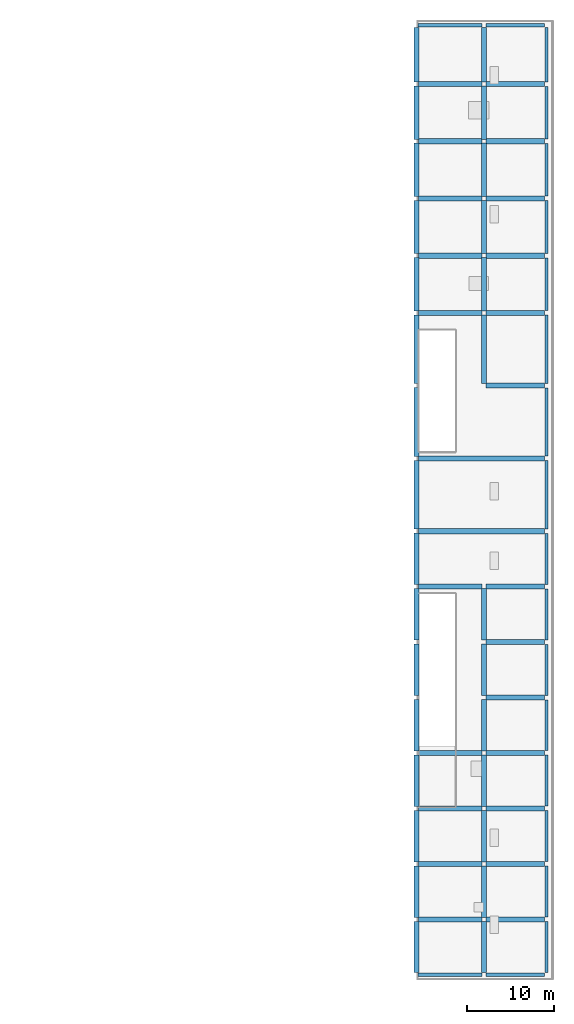
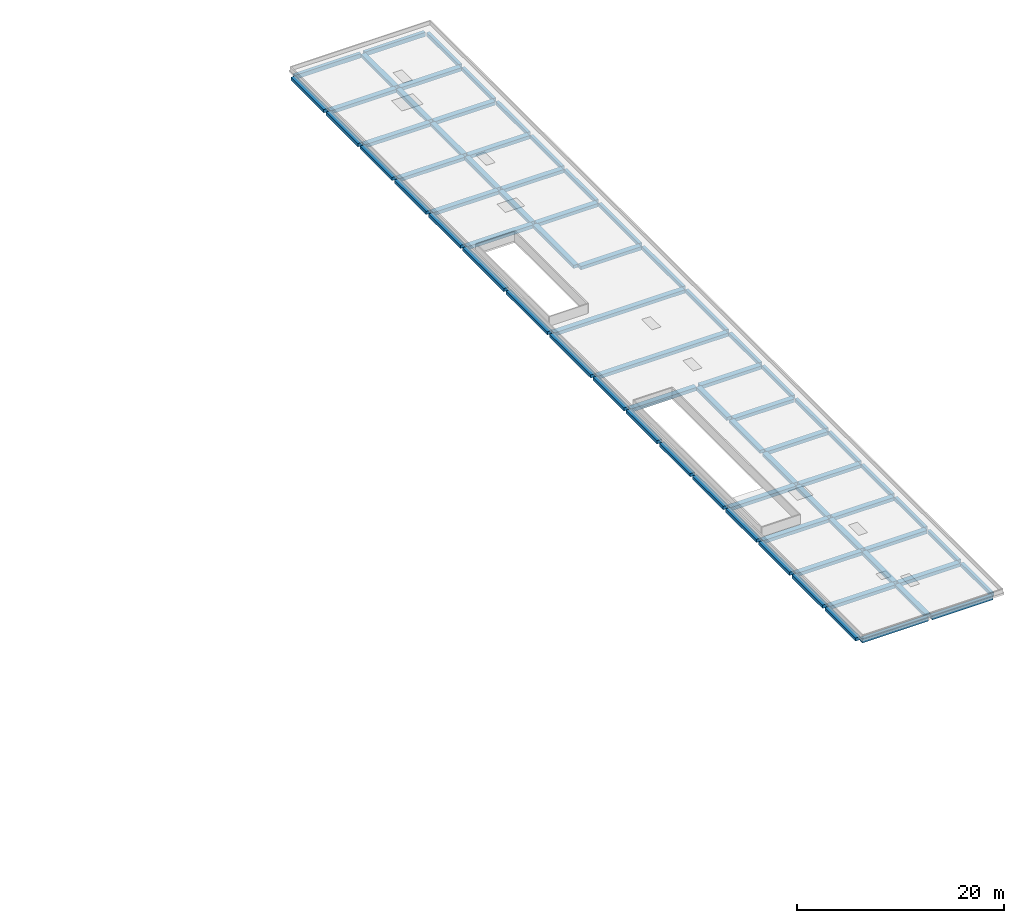
# One storey, part 6 of 24: 74 beams.
"""IFC4 building model written with IfcOpenShell, lengths in metres."""

from ifc_helpers import new_model, si_unit, derived_unit, direction, frame, origin, origin_2d, place, context, subcontext, project, spatial, rectangle, extrude, material, material_profile, profile_set, type_object, element, save


model = new_model("IFC4")

# Units and contexts
model_context = context("Model", 3, precision=1e-05, world=origin(), true_north=direction((0.0, 1.0)))
body_context = subcontext(model_context, "Body", "Model", "MODEL_VIEW")
ifc_project = project(units=[si_unit("LENGTHUNIT", "METRE"), si_unit("AREAUNIT", "SQUARE_METRE"), si_unit("VOLUMEUNIT", "CUBIC_METRE"), si_unit("PLANEANGLEUNIT", "RADIAN"), si_unit("MASSUNIT", "GRAM", prefix="KILO"), derived_unit("THERMALTRANSMITTANCEUNIT", [(si_unit("POWERUNIT", "WATT"), 1), (si_unit("LENGTHUNIT", "METRE"), -2), (si_unit("THERMODYNAMICTEMPERATUREUNIT", "KELVIN"), -1)])], contexts=[model_context])

# Site, building, storey
site_placement = place(None, origin())
site = spatial("IfcSite", under=ifc_project, at=site_placement, CompositionType="ELEMENT")
building_placement = place(site_placement, origin())
building = spatial("IfcBuilding", under=site, at=building_placement, Name="Braskholm Square Health Centre", CompositionType="ELEMENT")
storey_placement = place(building_placement, frame((0.0, 0.0, 21.60009765625)))
storey = spatial("IfcBuildingStorey", under=building, at=storey_placement, Name="L06", CompositionType="ELEMENT", Elevation=21.60009765625)

# Beams
ifc_material_1 = material(Name="Concrete C35/45 (f'c = 35 MPa)", Category="concrete")
ifc_material_profile_1 = material_profile(ifc_material_1, rectangle(XDim=0.550048828125, YDim=0.3798828125, at=origin_2d()), Name="RCB-550X380")
ifc_profile_set_1 = profile_set([ifc_material_profile_1], Name="Concrete C35/45 (f'c = 35 MPa)")
beam_type_1 = type_object("IfcBeamType", Name="PrimaryBandBeam550x380", PredefinedType="BEAM", material=ifc_profile_set_1)
beam_1_placement = place(storey_placement, frame((148.800048828125, 4.4599609375, -0.400146484375), z_axis=(0.0, 1.0, 0.0), x_axis=(-1.0, 0.0, 0.0)))
element("IfcBeam", 1, at=beam_1_placement, inside=storey, type_object=beam_type_1, Name="Beam 20/A-B L06", PredefinedType="BEAM", context=body_context, shape_type="SweptSolid", body=[
    extrude(rectangle(XDim=0.550048828125, YDim=0.3798828125, at=origin_2d()), origin(), (0.0, 0.0, 1.0), 5.9150390625),
])
for number, where, z_axis, x_axis, name in (
    (2, (148.800048828125, 10.824951171875, -0.400146484375), (0.0, 1.0, 0.0), (-1.0, 0.0, 0.0), "Beam 20/B-C L06"),
    (3, (148.800048828125, 17.22509765625, -0.400146484375), (0.0, 1.0, 0.0), (-1.0, 0.0, 0.0), "Beam 20/C-D L06"),
    (4, (148.800048828125, 23.625, -0.400146484375), (0.0, 1.0, 0.0), (-1.0, 0.0, 0.0), "Beam 20/D-E L06"),
):
    element("IfcBeam", number, at=place(storey_placement, frame(where, z_axis=z_axis, x_axis=x_axis)), inside=storey, type_object=beam_type_1, Name=name, PredefinedType="BEAM", context=body_context, shape_type="SweptSolid", body=[
        extrude(rectangle(XDim=0.550048828125, YDim=0.3798828125, at=origin_2d()), origin(), (0.0, 0.0, 1.0), 5.949951171875),
    ])
beam_2_placement = place(storey_placement, frame((148.800048828125, 30.02490234375, -0.400146484375), z_axis=(0.0, 1.0, 0.0), x_axis=(-1.0, 0.0, 0.0)))
element("IfcBeam", 5, at=beam_2_placement, inside=storey, type_object=beam_type_1, Name="Beam 20/E-F L06", PredefinedType="BEAM", context=body_context, shape_type="SweptSolid", body=[
    extrude(rectangle(XDim=0.550048828125, YDim=0.3798828125, at=origin_2d()), origin(), (0.0, 0.0, 1.0), 5.9501953125),
])
for number, where, z_axis, x_axis, name in (
    (6, (148.800048828125, 36.425048828125, -0.400146484375), (0.0, 1.0, 0.0), (-1.0, 0.0, 0.0), "Beam 20/F-G L06"),
    (7, (148.800048828125, 42.824951171875, -0.400146484375), (0.0, 1.0, 0.0), (-1.0, 0.0, 0.0), "Beam 20/G-H L06"),
    (8, (148.800048828125, 49.22509765625, -0.400146484375), (0.0, 1.0, 0.0), (-1.0, 0.0, 0.0), "Beam 20/H-J L06"),
):
    element("IfcBeam", number, at=place(storey_placement, frame(where, z_axis=z_axis, x_axis=x_axis)), inside=storey, type_object=beam_type_1, Name=name, PredefinedType="BEAM", context=body_context, shape_type="SweptSolid", body=[
        extrude(rectangle(XDim=0.550048828125, YDim=0.3798828125, at=origin_2d()), origin(), (0.0, 0.0, 1.0), 5.949951171875),
    ])
beam_3_placement = place(storey_placement, frame((148.800048828125, 55.625, -0.400146484375), z_axis=(0.0, 1.0, 0.0), x_axis=(-1.0, 0.0, 0.0)))
element("IfcBeam", 9, at=beam_3_placement, inside=storey, type_object=beam_type_1, Name="Beam 20/J-K L06", PredefinedType="BEAM", context=body_context, shape_type="SweptSolid", body=[
    extrude(rectangle(XDim=0.550048828125, YDim=0.3798828125, at=origin_2d()), origin(), (0.0, 0.0, 1.0), 7.949951171875),
])
beam_4_placement = place(storey_placement, frame((148.800048828125, 64.02490234375, -0.400146484375), z_axis=(0.0, 1.0, 0.0), x_axis=(-1.0, 0.0, 0.0)))
element("IfcBeam", 10, at=beam_4_placement, inside=storey, type_object=beam_type_1, Name="Beam 20/K-L L06", PredefinedType="BEAM", context=body_context, shape_type="SweptSolid", body=[
    extrude(rectangle(XDim=0.550048828125, YDim=0.3798828125, at=origin_2d()), origin(), (0.0, 0.0, 1.0), 7.9501953125),
])
beam_5_placement = place(storey_placement, frame((148.800048828125, 72.425048828125, -0.400146484375), z_axis=(0.0, 1.0, 0.0), x_axis=(-1.0, 0.0, 0.0)))
element("IfcBeam", 11, at=beam_5_placement, inside=storey, type_object=beam_type_1, Name="Beam 20/L-M L06", PredefinedType="BEAM", context=body_context, shape_type="SweptSolid", body=[
    extrude(rectangle(XDim=0.550048828125, YDim=0.3798828125, at=origin_2d()), origin(), (0.0, 0.0, 1.0), 7.949951171875),
])
beam_6_placement = place(storey_placement, frame((148.800048828125, 80.824951171875, -0.400146484375), z_axis=(0.0, 1.0, 0.0), x_axis=(-1.0, 0.0, 0.0)))
element("IfcBeam", 12, at=beam_6_placement, inside=storey, type_object=beam_type_1, Name="Beam 20/M-N L06", PredefinedType="BEAM", context=body_context, shape_type="SweptSolid", body=[
    extrude(rectangle(XDim=0.550048828125, YDim=0.3798828125, at=origin_2d()), origin(), (0.0, 0.0, 1.0), 6.150146484375),
])
beam_7_placement = place(storey_placement, frame((148.800048828125, 87.425048828125, -0.400146484375), z_axis=(0.0, 1.0, 0.0), x_axis=(-1.0, 0.0, 0.0)))
element("IfcBeam", 13, at=beam_7_placement, inside=storey, type_object=beam_type_1, Name="Beam 20/N-P L06", PredefinedType="BEAM", context=body_context, shape_type="SweptSolid", body=[
    extrude(rectangle(XDim=0.550048828125, YDim=0.3798828125, at=origin_2d()), origin(), (0.0, 0.0, 1.0), 6.14990234375),
])
beam_8_placement = place(storey_placement, frame((148.800048828125, 94.02490234375, -0.400146484375), z_axis=(0.0, 1.0, 0.0), x_axis=(-1.0, 0.0, 0.0)))
element("IfcBeam", 14, at=beam_8_placement, inside=storey, type_object=beam_type_1, Name="Beam 20/P-Q L06", PredefinedType="BEAM", context=body_context, shape_type="SweptSolid", body=[
    extrude(rectangle(XDim=0.550048828125, YDim=0.3798828125, at=origin_2d()), origin(), (0.0, 0.0, 1.0), 6.150146484375),
])
beam_9_placement = place(storey_placement, frame((148.800048828125, 100.625, -0.400146484375), z_axis=(0.0, 1.0, 0.0), x_axis=(-1.0, 0.0, 0.0)))
element("IfcBeam", 15, at=beam_9_placement, inside=storey, type_object=beam_type_1, Name="Beam 20/Q-R L06", PredefinedType="BEAM", context=body_context, shape_type="SweptSolid", body=[
    extrude(rectangle(XDim=0.550048828125, YDim=0.3798828125, at=origin_2d()), origin(), (0.0, 0.0, 1.0), 6.14990234375),
])
beam_10_placement = place(storey_placement, frame((148.800048828125, 107.22509765625, -0.400146484375), z_axis=(0.0, 1.0, 0.0), x_axis=(-1.0, 0.0, 0.0)))
element("IfcBeam", 16, at=beam_10_placement, inside=storey, type_object=beam_type_1, Name="Beam 20/R-S L06", PredefinedType="BEAM", context=body_context, shape_type="SweptSolid", body=[
    extrude(rectangle(XDim=0.550048828125, YDim=0.3798828125, at=origin_2d()), origin(), (0.0, 0.0, 1.0), 6.31494140625),
])
beam_11_placement = place(storey_placement, frame((156.60009765625, 4.4599609375, -0.400146484375), z_axis=(0.0, 1.0, 0.0), x_axis=(-1.0, 0.0, 0.0)))
element("IfcBeam", 17, at=beam_11_placement, inside=storey, type_object=beam_type_1, Name="Beam 21/A-B L06", PredefinedType="BEAM", context=body_context, shape_type="SweptSolid", body=[
    extrude(rectangle(XDim=0.550048828125, YDim=0.3798828125, at=origin_2d()), origin(), (0.0, 0.0, 1.0), 5.9150390625),
])
for number, where, z_axis, x_axis, name in (
    (18, (156.60009765625, 10.824951171875, -0.400146484375), (0.0, 1.0, 0.0), (-1.0, 0.0, 0.0), "Beam 21/B-C L06"),
    (19, (156.60009765625, 17.22509765625, -0.400146484375), (0.0, 1.0, 0.0), (-1.0, 0.0, 0.0), "Beam 21/C-D L06"),
    (20, (156.60009765625, 23.625, -0.400146484375), (0.0, 1.0, 0.0), (-1.0, 0.0, 0.0), "Beam 21/D-E L06"),
):
    element("IfcBeam", number, at=place(storey_placement, frame(where, z_axis=z_axis, x_axis=x_axis)), inside=storey, type_object=beam_type_1, Name=name, PredefinedType="BEAM", context=body_context, shape_type="SweptSolid", body=[
        extrude(rectangle(XDim=0.550048828125, YDim=0.3798828125, at=origin_2d()), origin(), (0.0, 0.0, 1.0), 5.949951171875),
    ])
beam_12_placement = place(storey_placement, frame((156.60009765625, 30.02490234375, -0.400146484375), z_axis=(0.0, 1.0, 0.0), x_axis=(-1.0, 0.0, 0.0)))
element("IfcBeam", 21, at=beam_12_placement, inside=storey, type_object=beam_type_1, Name="Beam 21/E-F L06", PredefinedType="BEAM", context=body_context, shape_type="SweptSolid", body=[
    extrude(rectangle(XDim=0.550048828125, YDim=0.3798828125, at=origin_2d()), origin(), (0.0, 0.0, 1.0), 5.9501953125),
])
for number, where, z_axis, x_axis, name in (
    (22, (156.60009765625, 36.425048828125, -0.400146484375), (0.0, 1.0, 0.0), (-1.0, 0.0, 0.0), "Beam 21/F-G L06"),
    (23, (156.60009765625, 42.824951171875, -0.400146484375), (0.0, 1.0, 0.0), (-1.0, 0.0, 0.0), "Beam 21/G-H L06"),
):
    element("IfcBeam", number, at=place(storey_placement, frame(where, z_axis=z_axis, x_axis=x_axis)), inside=storey, type_object=beam_type_1, Name=name, PredefinedType="BEAM", context=body_context, shape_type="SweptSolid", body=[
        extrude(rectangle(XDim=0.550048828125, YDim=0.3798828125, at=origin_2d()), origin(), (0.0, 0.0, 1.0), 5.949951171875),
    ])
beam_13_placement = place(storey_placement, frame((156.60009765625, 72.425048828125, -0.400146484375), z_axis=(0.0, 1.0, 0.0), x_axis=(-1.0, 0.0, 0.0)))
element("IfcBeam", 24, at=beam_13_placement, inside=storey, type_object=beam_type_1, Name="Beam 21/L-M L06", PredefinedType="BEAM", context=body_context, shape_type="SweptSolid", body=[
    extrude(rectangle(XDim=0.550048828125, YDim=0.3798828125, at=origin_2d()), origin(), (0.0, 0.0, 1.0), 7.949951171875),
])
beam_14_placement = place(storey_placement, frame((156.60009765625, 80.824951171875, -0.400146484375), z_axis=(0.0, 1.0, 0.0), x_axis=(-1.0, 0.0, 0.0)))
element("IfcBeam", 25, at=beam_14_placement, inside=storey, type_object=beam_type_1, Name="Beam 21/M-N L06", PredefinedType="BEAM", context=body_context, shape_type="SweptSolid", body=[
    extrude(rectangle(XDim=0.550048828125, YDim=0.3798828125, at=origin_2d()), origin(), (0.0, 0.0, 1.0), 6.150146484375),
])
beam_15_placement = place(storey_placement, frame((156.60009765625, 87.425048828125, -0.400146484375), z_axis=(0.0, 1.0, 0.0), x_axis=(-1.0, 0.0, 0.0)))
element("IfcBeam", 26, at=beam_15_placement, inside=storey, type_object=beam_type_1, Name="Beam 21/N-P L06", PredefinedType="BEAM", context=body_context, shape_type="SweptSolid", body=[
    extrude(rectangle(XDim=0.550048828125, YDim=0.3798828125, at=origin_2d()), origin(), (0.0, 0.0, 1.0), 6.14990234375),
])
beam_16_placement = place(storey_placement, frame((156.60009765625, 94.02490234375, -0.400146484375), z_axis=(0.0, 1.0, 0.0), x_axis=(-1.0, 0.0, 0.0)))
element("IfcBeam", 27, at=beam_16_placement, inside=storey, type_object=beam_type_1, Name="Beam 21/P-Q L06", PredefinedType="BEAM", context=body_context, shape_type="SweptSolid", body=[
    extrude(rectangle(XDim=0.550048828125, YDim=0.3798828125, at=origin_2d()), origin(), (0.0, 0.0, 1.0), 6.150146484375),
])
beam_17_placement = place(storey_placement, frame((156.60009765625, 100.625, -0.400146484375), z_axis=(0.0, 1.0, 0.0), x_axis=(-1.0, 0.0, 0.0)))
element("IfcBeam", 28, at=beam_17_placement, inside=storey, type_object=beam_type_1, Name="Beam 21/Q-R L06", PredefinedType="BEAM", context=body_context, shape_type="SweptSolid", body=[
    extrude(rectangle(XDim=0.550048828125, YDim=0.3798828125, at=origin_2d()), origin(), (0.0, 0.0, 1.0), 6.14990234375),
])
beam_18_placement = place(storey_placement, frame((156.60009765625, 107.22509765625, -0.400146484375), z_axis=(0.0, 1.0, 0.0), x_axis=(-1.0, 0.0, 0.0)))
element("IfcBeam", 29, at=beam_18_placement, inside=storey, type_object=beam_type_1, Name="Beam 21/R-S L06", PredefinedType="BEAM", context=body_context, shape_type="SweptSolid", body=[
    extrude(rectangle(XDim=0.550048828125, YDim=0.3798828125, at=origin_2d()), origin(), (0.0, 0.0, 1.0), 6.31494140625),
])
ifc_material_profile_2 = material_profile(ifc_material_1, rectangle(XDim=0.60009765625, YDim=0.39990234375, at=origin_2d()), Name="RCB-600X400")
ifc_profile_set_2 = profile_set([ifc_material_profile_2], Name="Concrete C35/45 (f'c = 35 MPa)")
beam_type_2 = type_object("IfcBeamType", Name="PrimaryBandBeam600x400", PredefinedType="BEAM", material=ifc_profile_set_2)
beam_19_placement = place(storey_placement, frame((149.02490234375, 10.60009765625, -0.41015625), z_axis=(1.0, 0.0, 0.0), x_axis=(0.0, 1.0, 0.0)))
element("IfcBeam", 30, at=beam_19_placement, inside=storey, type_object=beam_type_2, Name="Beam 20-21/B L06", PredefinedType="BEAM", context=body_context, shape_type="SweptSolid", body=[
    extrude(rectangle(XDim=0.60009765625, YDim=0.39990234375, at=origin_2d()), origin(), (0.0, 0.0, 1.0), 7.35009765625),
])
beam_20_placement = place(storey_placement, frame((156.824951171875, 10.60009765625, -0.41015625), z_axis=(1.0, 0.0, 0.0), x_axis=(0.0, 1.0, 0.0)))
element("IfcBeam", 31, at=beam_20_placement, inside=storey, type_object=beam_type_2, Name="Beam 21-22/B L06", PredefinedType="BEAM", context=body_context, shape_type="SweptSolid", body=[
    extrude(rectangle(XDim=0.60009765625, YDim=0.39990234375, at=origin_2d()), origin(), (0.0, 0.0, 1.0), 6.76513671875),
])
beam_21_placement = place(storey_placement, frame((149.02490234375, 17.0, -0.41015625), z_axis=(1.0, 0.0, 0.0), x_axis=(0.0, 1.0, 0.0)))
element("IfcBeam", 32, at=beam_21_placement, inside=storey, type_object=beam_type_2, Name="Beam 20-21/C L06", PredefinedType="BEAM", context=body_context, shape_type="SweptSolid", body=[
    extrude(rectangle(XDim=0.60009765625, YDim=0.39990234375, at=origin_2d()), origin(), (0.0, 0.0, 1.0), 7.35009765625),
])
beam_22_placement = place(storey_placement, frame((156.824951171875, 17.0, -0.41015625), z_axis=(1.0, 0.0, 0.0), x_axis=(0.0, 1.0, 0.0)))
element("IfcBeam", 33, at=beam_22_placement, inside=storey, type_object=beam_type_2, Name="Beam 21-22/C L06", PredefinedType="BEAM", context=body_context, shape_type="SweptSolid", body=[
    extrude(rectangle(XDim=0.60009765625, YDim=0.39990234375, at=origin_2d()), origin(), (0.0, 0.0, 1.0), 6.76513671875),
])
beam_23_placement = place(storey_placement, frame((149.02490234375, 23.39990234375, -0.41015625), z_axis=(1.0, 0.0, 0.0), x_axis=(0.0, 1.0, 0.0)))
element("IfcBeam", 34, at=beam_23_placement, inside=storey, type_object=beam_type_2, Name="Beam 20-21/D L06", PredefinedType="BEAM", context=body_context, shape_type="SweptSolid", body=[
    extrude(rectangle(XDim=0.60009765625, YDim=0.39990234375, at=origin_2d()), origin(), (0.0, 0.0, 1.0), 7.35009765625),
])
beam_24_placement = place(storey_placement, frame((156.824951171875, 23.39990234375, -0.41015625), z_axis=(1.0, 0.0, 0.0), x_axis=(0.0, 1.0, 0.0)))
element("IfcBeam", 35, at=beam_24_placement, inside=storey, type_object=beam_type_2, Name="Beam 21-22/D L06", PredefinedType="BEAM", context=body_context, shape_type="SweptSolid", body=[
    extrude(rectangle(XDim=0.60009765625, YDim=0.39990234375, at=origin_2d()), origin(), (0.0, 0.0, 1.0), 6.76513671875),
])
beam_25_placement = place(storey_placement, frame((149.02490234375, 29.800048828125, -0.41015625), z_axis=(1.0, 0.0, 0.0), x_axis=(0.0, 1.0, 0.0)))
element("IfcBeam", 36, at=beam_25_placement, inside=storey, type_object=beam_type_2, Name="Beam 20-21/E L06", PredefinedType="BEAM", context=body_context, shape_type="SweptSolid", body=[
    extrude(rectangle(XDim=0.60009765625, YDim=0.39990234375, at=origin_2d()), origin(), (0.0, 0.0, 1.0), 7.35009765625),
])
for number, where, z_axis, x_axis, name in (
    (37, (156.824951171875, 29.800048828125, -0.41015625), (1.0, 0.0, 0.0), (0.0, 1.0, 0.0), "Beam 21-22/E L06"),
    (38, (156.824951171875, 36.199951171875, -0.41015625), (1.0, 0.0, 0.0), (0.0, 1.0, 0.0), "Beam 21-22/F L06"),
    (39, (156.824951171875, 42.60009765625, -0.41015625), (1.0, 0.0, 0.0), (0.0, 1.0, 0.0), "Beam 21-22/G L06"),
):
    element("IfcBeam", number, at=place(storey_placement, frame(where, z_axis=z_axis, x_axis=x_axis)), inside=storey, type_object=beam_type_2, Name=name, PredefinedType="BEAM", context=body_context, shape_type="SweptSolid", body=[
        extrude(rectangle(XDim=0.60009765625, YDim=0.39990234375, at=origin_2d()), origin(), (0.0, 0.0, 1.0), 6.76513671875),
    ])
beam_26_placement = place(storey_placement, frame((149.02490234375, 49.0, -0.41015625), z_axis=(1.0, 0.0, 0.0), x_axis=(0.0, 1.0, 0.0)))
element("IfcBeam", 40, at=beam_26_placement, inside=storey, type_object=beam_type_2, Name="Beam 20-21/H L06", PredefinedType="BEAM", context=body_context, shape_type="SweptSolid", body=[
    extrude(rectangle(XDim=0.60009765625, YDim=0.39990234375, at=origin_2d()), origin(), (0.0, 0.0, 1.0), 7.35009765625),
])
beam_27_placement = place(storey_placement, frame((156.824951171875, 49.0, -0.41015625), z_axis=(1.0, 0.0, 0.0), x_axis=(0.0, 1.0, 0.0)))
element("IfcBeam", 41, at=beam_27_placement, inside=storey, type_object=beam_type_2, Name="Beam 21-22/H L06", PredefinedType="BEAM", context=body_context, shape_type="SweptSolid", body=[
    extrude(rectangle(XDim=0.60009765625, YDim=0.39990234375, at=origin_2d()), origin(), (0.0, 0.0, 1.0), 6.76513671875),
])
for number, where, z_axis, x_axis, name in (
    (42, (149.02490234375, 55.39990234375, -0.41015625), (1.0, 0.0, 0.0), (0.0, 1.0, 0.0), "Beam 20-22/J L06"),
    (43, (149.02490234375, 63.800048828125, -0.41015625), (1.0, 0.0, 0.0), (0.0, 1.0, 0.0), "Beam 20-22/K L06"),
):
    element("IfcBeam", number, at=place(storey_placement, frame(where, z_axis=z_axis, x_axis=x_axis)), inside=storey, type_object=beam_type_2, Name=name, PredefinedType="BEAM", context=body_context, shape_type="SweptSolid", body=[
        extrude(rectangle(XDim=0.60009765625, YDim=0.39990234375, at=origin_2d()), origin(), (0.0, 0.0, 1.0), 14.565185546875),
    ])
beam_28_placement = place(storey_placement, frame((156.824951171875, 72.199951171875, -0.41015625), z_axis=(1.0, 0.0, 0.0), x_axis=(0.0, 1.0, 0.0)))
element("IfcBeam", 44, at=beam_28_placement, inside=storey, type_object=beam_type_2, Name="Beam 21-22/L L06", PredefinedType="BEAM", context=body_context, shape_type="SweptSolid", body=[
    extrude(rectangle(XDim=0.60009765625, YDim=0.39990234375, at=origin_2d()), origin(), (0.0, 0.0, 1.0), 6.76513671875),
])
beam_29_placement = place(storey_placement, frame((149.02490234375, 80.60009765625, -0.41015625), z_axis=(1.0, 0.0, 0.0), x_axis=(0.0, 1.0, 0.0)))
element("IfcBeam", 45, at=beam_29_placement, inside=storey, type_object=beam_type_2, Name="Beam 20-21/M L06", PredefinedType="BEAM", context=body_context, shape_type="SweptSolid", body=[
    extrude(rectangle(XDim=0.60009765625, YDim=0.39990234375, at=origin_2d()), origin(), (0.0, 0.0, 1.0), 7.35009765625),
])
beam_30_placement = place(storey_placement, frame((156.824951171875, 80.60009765625, -0.41015625), z_axis=(1.0, 0.0, 0.0), x_axis=(0.0, 1.0, 0.0)))
element("IfcBeam", 46, at=beam_30_placement, inside=storey, type_object=beam_type_2, Name="Beam 21-22/M L06", PredefinedType="BEAM", context=body_context, shape_type="SweptSolid", body=[
    extrude(rectangle(XDim=0.60009765625, YDim=0.39990234375, at=origin_2d()), origin(), (0.0, 0.0, 1.0), 6.76513671875),
])
beam_31_placement = place(storey_placement, frame((149.02490234375, 87.199951171875, -0.41015625), z_axis=(1.0, 0.0, 0.0), x_axis=(0.0, 1.0, 0.0)))
element("IfcBeam", 47, at=beam_31_placement, inside=storey, type_object=beam_type_2, Name="Beam 20-21/N L06", PredefinedType="BEAM", context=body_context, shape_type="SweptSolid", body=[
    extrude(rectangle(XDim=0.60009765625, YDim=0.39990234375, at=origin_2d()), origin(), (0.0, 0.0, 1.0), 7.35009765625),
])
beam_32_placement = place(storey_placement, frame((156.824951171875, 87.199951171875, -0.41015625), z_axis=(1.0, 0.0, 0.0), x_axis=(0.0, 1.0, 0.0)))
element("IfcBeam", 48, at=beam_32_placement, inside=storey, type_object=beam_type_2, Name="Beam 21-22/N L06", PredefinedType="BEAM", context=body_context, shape_type="SweptSolid", body=[
    extrude(rectangle(XDim=0.60009765625, YDim=0.39990234375, at=origin_2d()), origin(), (0.0, 0.0, 1.0), 6.76513671875),
])
beam_33_placement = place(storey_placement, frame((149.02490234375, 93.800048828125, -0.41015625), z_axis=(1.0, 0.0, 0.0), x_axis=(0.0, 1.0, 0.0)))
element("IfcBeam", 49, at=beam_33_placement, inside=storey, type_object=beam_type_2, Name="Beam 20-21/P L06", PredefinedType="BEAM", context=body_context, shape_type="SweptSolid", body=[
    extrude(rectangle(XDim=0.60009765625, YDim=0.39990234375, at=origin_2d()), origin(), (0.0, 0.0, 1.0), 7.35009765625),
])
beam_34_placement = place(storey_placement, frame((156.824951171875, 93.800048828125, -0.41015625), z_axis=(1.0, 0.0, 0.0), x_axis=(0.0, 1.0, 0.0)))
element("IfcBeam", 50, at=beam_34_placement, inside=storey, type_object=beam_type_2, Name="Beam 21-22/P L06", PredefinedType="BEAM", context=body_context, shape_type="SweptSolid", body=[
    extrude(rectangle(XDim=0.60009765625, YDim=0.39990234375, at=origin_2d()), origin(), (0.0, 0.0, 1.0), 6.76513671875),
])
beam_35_placement = place(storey_placement, frame((149.02490234375, 100.39990234375, -0.41015625), z_axis=(1.0, 0.0, 0.0), x_axis=(0.0, 1.0, 0.0)))
element("IfcBeam", 51, at=beam_35_placement, inside=storey, type_object=beam_type_2, Name="Beam 20-21/Q L06", PredefinedType="BEAM", context=body_context, shape_type="SweptSolid", body=[
    extrude(rectangle(XDim=0.60009765625, YDim=0.39990234375, at=origin_2d()), origin(), (0.0, 0.0, 1.0), 7.35009765625),
])
beam_36_placement = place(storey_placement, frame((156.824951171875, 100.39990234375, -0.41015625), z_axis=(1.0, 0.0, 0.0), x_axis=(0.0, 1.0, 0.0)))
element("IfcBeam", 52, at=beam_36_placement, inside=storey, type_object=beam_type_2, Name="Beam 21-22/Q L06", PredefinedType="BEAM", context=body_context, shape_type="SweptSolid", body=[
    extrude(rectangle(XDim=0.60009765625, YDim=0.39990234375, at=origin_2d()), origin(), (0.0, 0.0, 1.0), 6.76513671875),
])
beam_37_placement = place(storey_placement, frame((149.02490234375, 107.0, -0.41015625), z_axis=(1.0, 0.0, 0.0), x_axis=(0.0, 1.0, 0.0)))
element("IfcBeam", 53, at=beam_37_placement, inside=storey, type_object=beam_type_2, Name="Beam 20-21/R L06", PredefinedType="BEAM", context=body_context, shape_type="SweptSolid", body=[
    extrude(rectangle(XDim=0.60009765625, YDim=0.39990234375, at=origin_2d()), origin(), (0.0, 0.0, 1.0), 7.35009765625),
])
beam_38_placement = place(storey_placement, frame((156.824951171875, 107.0, -0.41015625), z_axis=(1.0, 0.0, 0.0), x_axis=(0.0, 1.0, 0.0)))
element("IfcBeam", 54, at=beam_38_placement, inside=storey, type_object=beam_type_2, Name="Beam 21-22/R L06", PredefinedType="BEAM", context=body_context, shape_type="SweptSolid", body=[
    extrude(rectangle(XDim=0.60009765625, YDim=0.39990234375, at=origin_2d()), origin(), (0.0, 0.0, 1.0), 6.76513671875),
])
ifc_material_2 = material(Name="Precast concrete C40/50 architectural white", Category="concrete")
ifc_material_profile_3 = material_profile(ifc_material_2, rectangle(XDim=0.340087890625, YDim=0.419921875, at=origin_2d()), Name="RCB-340X420")
ifc_profile_set_3 = profile_set([ifc_material_profile_3], Name="Precast concrete C40/50 architectural white")
beam_type_3 = type_object("IfcBeamType", Name="SpandrelCrownEdge340x420", PredefinedType="SPANDREL", material=ifc_profile_set_3)
beam_39_placement = place(storey_placement, frame((163.800048828125, 4.4599609375, -0.420166015625), z_axis=(0.0, 1.0, 0.0), x_axis=(-1.0, 0.0, 0.0)))
element("IfcBeam", 55, at=beam_39_placement, inside=storey, type_object=beam_type_3, Name="Beam 22/A-B L06", PredefinedType="SPANDREL", context=body_context, shape_type="SweptSolid", body=[
    extrude(rectangle(XDim=0.340087890625, YDim=0.419921875, at=origin_2d()), origin(), (0.0, 0.0, 1.0), 5.880126953125),
])
for number, where, z_axis, x_axis, name in (
    (56, (163.800048828125, 10.860107421875, -0.420166015625), (0.0, 1.0, 0.0), (-1.0, 0.0, 0.0), "Beam 22/B-C L06"),
    (57, (163.800048828125, 17.260009765625, -0.420166015625), (0.0, 1.0, 0.0), (-1.0, 0.0, 0.0), "Beam 22/C-D L06"),
):
    element("IfcBeam", number, at=place(storey_placement, frame(where, z_axis=z_axis, x_axis=x_axis)), inside=storey, type_object=beam_type_3, Name=name, PredefinedType="SPANDREL", context=body_context, shape_type="SweptSolid", body=[
        extrude(rectangle(XDim=0.340087890625, YDim=0.419921875, at=origin_2d()), origin(), (0.0, 0.0, 1.0), 5.8798828125),
    ])
beam_40_placement = place(storey_placement, frame((163.800048828125, 23.659912109375, -0.420166015625), z_axis=(0.0, 1.0, 0.0), x_axis=(-1.0, 0.0, 0.0)))
element("IfcBeam", 58, at=beam_40_placement, inside=storey, type_object=beam_type_3, Name="Beam 22/D-E L06", PredefinedType="SPANDREL", context=body_context, shape_type="SweptSolid", body=[
    extrude(rectangle(XDim=0.340087890625, YDim=0.419921875, at=origin_2d()), origin(), (0.0, 0.0, 1.0), 5.880126953125),
])
beam_41_placement = place(storey_placement, frame((163.800048828125, 30.06005859375, -0.420166015625), z_axis=(0.0, 1.0, 0.0), x_axis=(-1.0, 0.0, 0.0)))
element("IfcBeam", 59, at=beam_41_placement, inside=storey, type_object=beam_type_3, Name="Beam 22/E-F L06", PredefinedType="SPANDREL", context=body_context, shape_type="SweptSolid", body=[
    extrude(rectangle(XDim=0.340087890625, YDim=0.419921875, at=origin_2d()), origin(), (0.0, 0.0, 1.0), 5.8798828125),
])
beam_42_placement = place(storey_placement, frame((163.800048828125, 36.4599609375, -0.420166015625), z_axis=(0.0, 1.0, 0.0), x_axis=(-1.0, 0.0, 0.0)))
element("IfcBeam", 60, at=beam_42_placement, inside=storey, type_object=beam_type_3, Name="Beam 22/F-G L06", PredefinedType="SPANDREL", context=body_context, shape_type="SweptSolid", body=[
    extrude(rectangle(XDim=0.340087890625, YDim=0.419921875, at=origin_2d()), origin(), (0.0, 0.0, 1.0), 5.880126953125),
])
for number, where, z_axis, x_axis, name in (
    (61, (163.800048828125, 42.860107421875, -0.420166015625), (0.0, 1.0, 0.0), (-1.0, 0.0, 0.0), "Beam 22/G-H L06"),
    (62, (163.800048828125, 49.260009765625, -0.420166015625), (0.0, 1.0, 0.0), (-1.0, 0.0, 0.0), "Beam 22/H-J L06"),
):
    element("IfcBeam", number, at=place(storey_placement, frame(where, z_axis=z_axis, x_axis=x_axis)), inside=storey, type_object=beam_type_3, Name=name, PredefinedType="SPANDREL", context=body_context, shape_type="SweptSolid", body=[
        extrude(rectangle(XDim=0.340087890625, YDim=0.419921875, at=origin_2d()), origin(), (0.0, 0.0, 1.0), 5.8798828125),
    ])
beam_43_placement = place(storey_placement, frame((163.800048828125, 55.659912109375, -0.420166015625), z_axis=(0.0, 1.0, 0.0), x_axis=(-1.0, 0.0, 0.0)))
element("IfcBeam", 63, at=beam_43_placement, inside=storey, type_object=beam_type_3, Name="Beam 22/J-K L06", PredefinedType="SPANDREL", context=body_context, shape_type="SweptSolid", body=[
    extrude(rectangle(XDim=0.340087890625, YDim=0.419921875, at=origin_2d()), origin(), (0.0, 0.0, 1.0), 7.880126953125),
])
beam_44_placement = place(storey_placement, frame((163.800048828125, 64.06005859375, -0.420166015625), z_axis=(0.0, 1.0, 0.0), x_axis=(-1.0, 0.0, 0.0)))
element("IfcBeam", 64, at=beam_44_placement, inside=storey, type_object=beam_type_3, Name="Beam 22/K-L L06", PredefinedType="SPANDREL", context=body_context, shape_type="SweptSolid", body=[
    extrude(rectangle(XDim=0.340087890625, YDim=0.419921875, at=origin_2d()), origin(), (0.0, 0.0, 1.0), 7.8798828125),
])
beam_45_placement = place(storey_placement, frame((163.800048828125, 72.4599609375, -0.420166015625), z_axis=(0.0, 1.0, 0.0), x_axis=(-1.0, 0.0, 0.0)))
element("IfcBeam", 65, at=beam_45_placement, inside=storey, type_object=beam_type_3, Name="Beam 22/L-M L06", PredefinedType="SPANDREL", context=body_context, shape_type="SweptSolid", body=[
    extrude(rectangle(XDim=0.340087890625, YDim=0.419921875, at=origin_2d()), origin(), (0.0, 0.0, 1.0), 7.880126953125),
])
beam_46_placement = place(storey_placement, frame((163.800048828125, 80.860107421875, -0.420166015625), z_axis=(0.0, 1.0, 0.0), x_axis=(-1.0, 0.0, 0.0)))
element("IfcBeam", 66, at=beam_46_placement, inside=storey, type_object=beam_type_3, Name="Beam 22/M-N L06", PredefinedType="SPANDREL", context=body_context, shape_type="SweptSolid", body=[
    extrude(rectangle(XDim=0.340087890625, YDim=0.419921875, at=origin_2d()), origin(), (0.0, 0.0, 1.0), 6.079833984375),
])
beam_47_placement = place(storey_placement, frame((163.800048828125, 87.4599609375, -0.420166015625), z_axis=(0.0, 1.0, 0.0), x_axis=(-1.0, 0.0, 0.0)))
element("IfcBeam", 67, at=beam_47_placement, inside=storey, type_object=beam_type_3, Name="Beam 22/N-P L06", PredefinedType="SPANDREL", context=body_context, shape_type="SweptSolid", body=[
    extrude(rectangle(XDim=0.340087890625, YDim=0.419921875, at=origin_2d()), origin(), (0.0, 0.0, 1.0), 6.080078125),
])
beam_48_placement = place(storey_placement, frame((163.800048828125, 94.06005859375, -0.420166015625), z_axis=(0.0, 1.0, 0.0), x_axis=(-1.0, 0.0, 0.0)))
element("IfcBeam", 68, at=beam_48_placement, inside=storey, type_object=beam_type_3, Name="Beam 22/P-Q L06", PredefinedType="SPANDREL", context=body_context, shape_type="SweptSolid", body=[
    extrude(rectangle(XDim=0.340087890625, YDim=0.419921875, at=origin_2d()), origin(), (0.0, 0.0, 1.0), 6.079833984375),
])
beam_49_placement = place(storey_placement, frame((163.800048828125, 100.659912109375, -0.420166015625), z_axis=(0.0, 1.0, 0.0), x_axis=(-1.0, 0.0, 0.0)))
element("IfcBeam", 69, at=beam_49_placement, inside=storey, type_object=beam_type_3, Name="Beam 22/Q-R L06", PredefinedType="SPANDREL", context=body_context, shape_type="SweptSolid", body=[
    extrude(rectangle(XDim=0.340087890625, YDim=0.419921875, at=origin_2d()), origin(), (0.0, 0.0, 1.0), 6.080078125),
])
beam_50_placement = place(storey_placement, frame((163.800048828125, 107.260009765625, -0.420166015625), z_axis=(0.0, 1.0, 0.0), x_axis=(-1.0, 0.0, 0.0)))
element("IfcBeam", 70, at=beam_50_placement, inside=storey, type_object=beam_type_3, Name="Beam 22/R-S L06", PredefinedType="SPANDREL", context=body_context, shape_type="SweptSolid", body=[
    extrude(rectangle(XDim=0.340087890625, YDim=0.419921875, at=origin_2d()), origin(), (0.0, 0.0, 1.0), 6.280029296875),
])
ifc_material_profile_4 = material_profile(ifc_material_2, rectangle(XDim=0.3798828125, YDim=0.5, at=origin_2d()), Name="RCB-380X500")
ifc_profile_set_4 = profile_set([ifc_material_profile_4], Name="Precast concrete C40/50 architectural white")
beam_type_4 = type_object("IfcBeamType", Name="SpandrelPrecastEdge380x500", PredefinedType="SPANDREL", material=ifc_profile_set_4)
beam_51_placement = place(storey_placement, frame((149.010009765625, 4.199951171875, -0.460205078125), z_axis=(1.0, 0.0, 0.0), x_axis=(0.0, 1.0, 0.0)))
element("IfcBeam", 71, at=beam_51_placement, inside=storey, type_object=beam_type_4, Name="Beam 20-21/A L06", PredefinedType="SPANDREL", context=body_context, shape_type="SweptSolid", body=[
    extrude(rectangle(XDim=0.3798828125, YDim=0.5, at=origin_2d()), origin(), (0.0, 0.0, 1.0), 7.3798828125),
])
beam_52_placement = place(storey_placement, frame((156.81005859375, 4.199951171875, -0.460205078125), z_axis=(1.0, 0.0, 0.0), x_axis=(0.0, 1.0, 0.0)))
element("IfcBeam", 72, at=beam_52_placement, inside=storey, type_object=beam_type_4, Name="Beam 21-22/A L06", PredefinedType="SPANDREL", context=body_context, shape_type="SweptSolid", body=[
    extrude(rectangle(XDim=0.3798828125, YDim=0.5, at=origin_2d()), origin(), (0.0, 0.0, 1.0), 6.780029296875),
])
beam_53_placement = place(storey_placement, frame((149.010009765625, 113.800048828125, -0.460205078125), z_axis=(1.0, 0.0, 0.0), x_axis=(0.0, 1.0, 0.0)))
element("IfcBeam", 73, at=beam_53_placement, inside=storey, type_object=beam_type_4, Name="Beam 20-21/S L06", PredefinedType="SPANDREL", context=body_context, shape_type="SweptSolid", body=[
    extrude(rectangle(XDim=0.3798828125, YDim=0.5, at=origin_2d()), origin(), (0.0, 0.0, 1.0), 7.3798828125),
])
beam_54_placement = place(storey_placement, frame((156.81005859375, 113.800048828125, -0.460205078125), z_axis=(1.0, 0.0, 0.0), x_axis=(0.0, 1.0, 0.0)))
element("IfcBeam", 74, at=beam_54_placement, inside=storey, type_object=beam_type_4, Name="Beam 21-22/S L06", PredefinedType="SPANDREL", context=body_context, shape_type="SweptSolid", body=[
    extrude(rectangle(XDim=0.3798828125, YDim=0.5, at=origin_2d()), origin(), (0.0, 0.0, 1.0), 6.780029296875),
])

save(model, "model.ifc")
